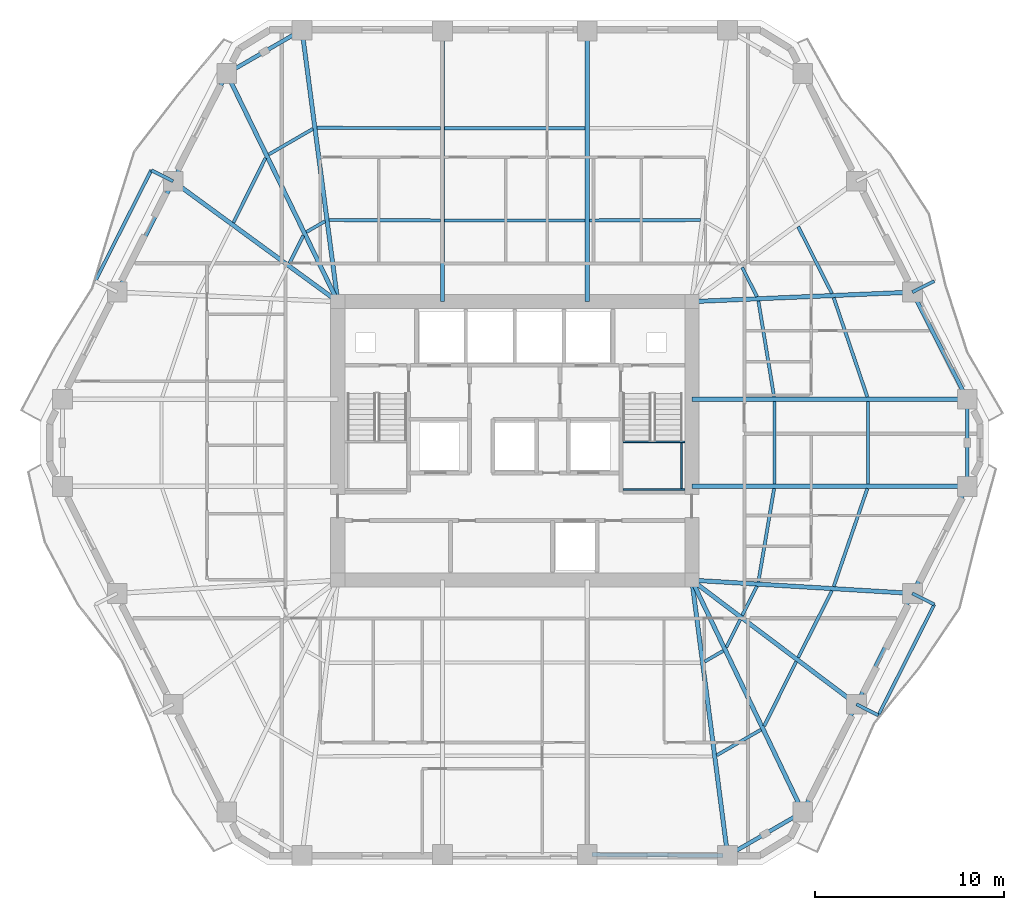
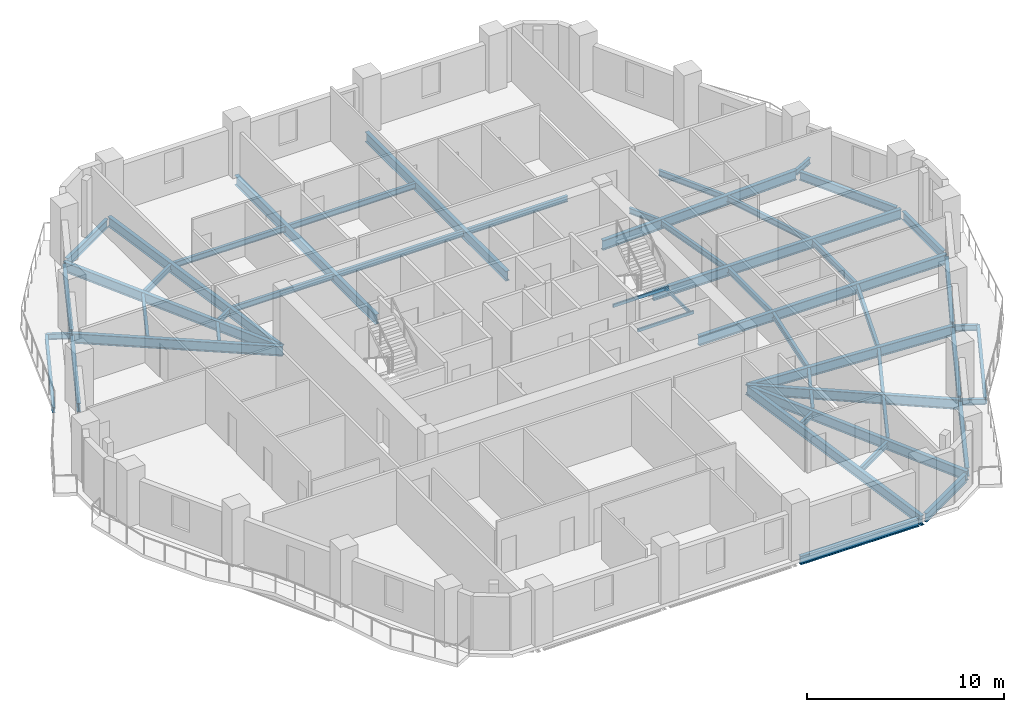
# One storey, part 2 of 11: 54 beams.
"""IFC4 building model written with IfcOpenShell, lengths in metres."""

from ifc_helpers import new_model, si_unit, direction, frame, origin, origin_2d, place, context, subcontext, project, spatial, hollow_rectangle, i_section, extrude, material, material_profile, profile_set, type_object, element, save


model = new_model("IFC4")

# Units and contexts
model_context = context("Model", 3, precision=1e-05, world=origin(), true_north=direction((0.0, 1.0)))
body_context = subcontext(model_context, "Body", "Model", "MODEL_VIEW")
ifc_project = project(units=[si_unit("LENGTHUNIT", "METRE"), si_unit("AREAUNIT", "SQUARE_METRE"), si_unit("VOLUMEUNIT", "CUBIC_METRE"), si_unit("PLANEANGLEUNIT", "RADIAN"), si_unit("MASSUNIT", "GRAM", prefix="KILO")], contexts=[model_context])

# Site, building, storey
site_placement = place(None, origin())
site = spatial("IfcSite", under=ifc_project, at=site_placement, CompositionType="ELEMENT")
building_placement = place(site_placement, origin())
building = spatial("IfcBuilding", under=site, at=building_placement, Name="Cinnabar Lancet Tower", CompositionType="ELEMENT")
storey_placement = place(building_placement, frame((0.0, 0.0, 105.5)))
storey = spatial("IfcBuildingStorey", under=building, at=storey_placement, Name="L27", CompositionType="ELEMENT", Elevation=105.5)

# Beams
ifc_material_1 = material(Name="Structural steel S355", Category="steel")
ifc_material_profile_1 = material_profile(ifc_material_1, i_section(OverallWidth=0.17138671875, OverallDepth=0.35498046875, WebThickness=0.00732421875, FlangeThickness=0.011474609375, FilletRadius=0.01025390625, at=origin_2d()), Name="UKB 356x171x51")
ifc_profile_set_1 = profile_set([ifc_material_profile_1], Name="Structural steel S355")
beam_type_1 = type_object("IfcBeamType", Name="STR-BM-JST-356", PredefinedType="JOIST", material=ifc_profile_set_1)
beam_1_placement = place(storey_placement, frame((43.093994140625, 9.251953125, -0.386962890625), z_axis=(0.865172906898, 0.501473669469, 0.0), x_axis=(-0.501473669469, 0.865172906898, 0.0)))
element("IfcBeam", 1, at=beam_1_placement, inside=storey, type_object=beam_type_1, Name="L27 Secondary Floor Joist 15", PredefinedType="JOIST", context=body_context, shape_type="SweptSolid", body=[
    extrude(i_section(OverallWidth=0.17138671875, OverallDepth=0.35498046875, WebThickness=0.00732421875, FlangeThickness=0.011474609375, FilletRadius=0.01025390625, at=origin_2d()), origin(), (0.0, 0.0, 1.0), 2.705810546875),
])
beam_2_placement = place(storey_placement, frame((42.449951171875, 14.2109375, -0.386962890625), z_axis=(0.865055308165, 0.501676503154, 0.0), x_axis=(-0.501676503154, 0.865055308165, 0.0)))
element("IfcBeam", 2, at=beam_2_placement, inside=storey, type_object=beam_type_1, Name="L27 Secondary Floor Joist 16", PredefinedType="JOIST", context=body_context, shape_type="SweptSolid", body=[
    extrude(i_section(OverallWidth=0.17138671875, OverallDepth=0.35498046875, WebThickness=0.00732421875, FlangeThickness=0.011474609375, FilletRadius=0.01025390625, at=origin_2d()), origin(), (0.0, 0.0, 1.0), 1.14208984375),
])
beam_3_placement = place(storey_placement, frame((45.59912109375, 10.7958984375, -0.386962890625), z_axis=(0.445295120803, 0.895383859241, 0.0), x_axis=(-0.895383859241, 0.445295120803, 0.0)))
element("IfcBeam", 3, at=beam_3_placement, inside=storey, type_object=beam_type_1, Name="L27 Secondary Floor Joist 17", PredefinedType="JOIST", context=body_context, shape_type="SweptSolid", body=[
    extrude(i_section(OverallWidth=0.17138671875, OverallDepth=0.35498046875, WebThickness=0.00732421875, FlangeThickness=0.011474609375, FilletRadius=0.01025390625, at=origin_2d()), origin(), (0.0, 0.0, 1.0), 3.81982421875),
])
beam_4_placement = place(storey_placement, frame((43.60205078125, 14.970947265625, -0.386962890625), z_axis=(0.44543923568, 0.895312173109, 0.0), x_axis=(-0.895312173109, 0.44543923568, 0.0)))
element("IfcBeam", 4, at=beam_4_placement, inside=storey, type_object=beam_type_1, Name="L27 Secondary Floor Joist 18", PredefinedType="JOIST", context=body_context, shape_type="SweptSolid", body=[
    extrude(i_section(OverallWidth=0.17138671875, OverallDepth=0.35498046875, WebThickness=0.00732421875, FlangeThickness=0.011474609375, FilletRadius=0.01025390625, at=origin_2d()), origin(), (0.0, 0.0, 1.0), 1.65185546875),
])
beam_5_placement = place(storey_placement, frame((47.404052734375, 14.424072265625, -0.386962890625), z_axis=(0.450706028652, 0.892672434736, 0.0), x_axis=(-0.892672434736, 0.450706028652, 0.0)))
element("IfcBeam", 5, at=beam_5_placement, inside=storey, type_object=beam_type_1, Name="L27 Secondary Floor Joist 19", PredefinedType="JOIST", context=body_context, shape_type="SweptSolid", body=[
    extrude(i_section(OverallWidth=0.17138671875, OverallDepth=0.35498046875, WebThickness=0.00732421875, FlangeThickness=0.011474609375, FilletRadius=0.01025390625, at=origin_2d()), origin(), (0.0, 0.0, 1.0), 3.966796875),
])
beam_6_placement = place(storey_placement, frame((44.44091796875, 16.657958984375, -0.386962890625), z_axis=(0.450874341268, 0.892587434589, 0.0), x_axis=(-0.892587434589, 0.450874341268, 0.0)))
element("IfcBeam", 6, at=beam_6_placement, inside=storey, type_object=beam_type_1, Name="L27 Secondary Floor Joist 20", PredefinedType="JOIST", context=body_context, shape_type="SweptSolid", body=[
    extrude(i_section(OverallWidth=0.17138671875, OverallDepth=0.35498046875, WebThickness=0.00732421875, FlangeThickness=0.011474609375, FilletRadius=0.01025390625, at=origin_2d()), origin(), (0.0, 0.0, 1.0), 1.732177734375),
])
beam_7_placement = place(storey_placement, frame((49.287109375, 18.18798828125, -0.386962890625), z_axis=(0.324639458548, 0.945837841257, 0.0), x_axis=(-0.945837841257, 0.324639458548, 0.0)))
element("IfcBeam", 7, at=beam_7_placement, inside=storey, type_object=beam_type_1, Name="L27 Secondary Floor Joist 21", PredefinedType="JOIST", context=body_context, shape_type="SweptSolid", body=[
    extrude(i_section(OverallWidth=0.17138671875, OverallDepth=0.35498046875, WebThickness=0.00732421875, FlangeThickness=0.011474609375, FilletRadius=0.01025390625, at=origin_2d()), origin(), (0.0, 0.0, 1.0), 5.486083984375),
])
beam_8_placement = place(storey_placement, frame((45.297119140625, 18.427978515625, -0.386962890625), z_axis=(0.165937104691, 0.986136338082, 0.0), x_axis=(-0.986136338082, 0.165937104691, 0.0)))
element("IfcBeam", 8, at=beam_8_placement, inside=storey, type_object=beam_type_1, Name="L27 Secondary Floor Joist 22", PredefinedType="JOIST", context=body_context, shape_type="SweptSolid", body=[
    extrude(i_section(OverallWidth=0.17138671875, OverallDepth=0.35498046875, WebThickness=0.00732421875, FlangeThickness=0.011474609375, FilletRadius=0.01025390625, at=origin_2d()), origin(), (0.0, 0.0, 1.0), 5.0185546875),
])
for number, where, z_axis, x_axis, name in (
    (9, (51.10693359375, 23.60498046875, -0.386962890625), (0.0, 1.0, 0.0), (-1.0, 0.0, 0.0), "L27 Secondary Floor Joist 23"),
    (10, (46.14990234375, 23.60498046875, -0.386962890625), (0.0, 1.0, 0.0), (-1.0, 0.0, 0.0), "L27 Secondary Floor Joist 24"),
):
    element("IfcBeam", number, at=place(storey_placement, frame(where, z_axis=z_axis, x_axis=x_axis)), inside=storey, type_object=beam_type_1, Name=name, PredefinedType="JOIST", context=body_context, shape_type="SweptSolid", body=[
        extrude(i_section(OverallWidth=0.17138671875, OverallDepth=0.35498046875, WebThickness=0.00732421875, FlangeThickness=0.011474609375, FilletRadius=0.01025390625, at=origin_2d()), origin(), (0.0, 0.0, 1.0), 4.39013671875),
    ])
beam_9_placement = place(storey_placement, frame((51.069091796875, 28.222900390625, -0.386962890625), z_axis=(-0.321063338019, 0.947057724207, 0.0), x_axis=(-0.947057724207, -0.321063338019, 0.0)))
element("IfcBeam", 11, at=beam_9_placement, inside=storey, type_object=beam_type_1, Name="L27 Secondary Floor Joist 25", PredefinedType="JOIST", context=body_context, shape_type="SweptSolid", body=[
    extrude(i_section(OverallWidth=0.17138671875, OverallDepth=0.35498046875, WebThickness=0.00732421875, FlangeThickness=0.011474609375, FilletRadius=0.01025390625, at=origin_2d()), origin(), (0.0, 0.0, 1.0), 5.553955078125),
])
beam_10_placement = place(storey_placement, frame((46.131103515625, 28.222900390625, -0.386962890625), z_axis=(-0.161719098977, 0.986836832017, 0.0), x_axis=(-0.986836832017, -0.161719098977, 0.0)))
element("IfcBeam", 12, at=beam_10_placement, inside=storey, type_object=beam_type_1, Name="L27 Secondary Floor Joist 26", PredefinedType="JOIST", context=body_context, shape_type="SweptSolid", body=[
    extrude(i_section(OverallWidth=0.17138671875, OverallDepth=0.35498046875, WebThickness=0.00732421875, FlangeThickness=0.011474609375, FilletRadius=0.01025390625, at=origin_2d()), origin(), (0.0, 0.0, 1.0), 5.156982421875),
])
beam_11_placement = place(storey_placement, frame((49.19189453125, 33.70703125, -0.386962890625), z_axis=(-0.450606998706, 0.892722427587, 0.0), x_axis=(-0.892722427587, -0.450606998706, 0.0)))
element("IfcBeam", 13, at=beam_11_placement, inside=storey, type_object=beam_type_1, Name="L27 Secondary Floor Joist 27", PredefinedType="JOIST", context=body_context, shape_type="SweptSolid", body=[
    extrude(i_section(OverallWidth=0.17138671875, OverallDepth=0.35498046875, WebThickness=0.00732421875, FlangeThickness=0.011474609375, FilletRadius=0.01025390625, at=origin_2d()), origin(), (0.0, 0.0, 1.0), 3.967529296875),
])
beam_12_placement = place(storey_placement, frame((45.221923828125, 33.537109375, -0.386962890625), z_axis=(-0.450931068976, 0.892558777354, 0.0), x_axis=(-0.892558777354, -0.450931068976, 0.0)))
element("IfcBeam", 14, at=beam_12_placement, inside=storey, type_object=beam_type_1, Name="L27 Secondary Floor Joist 28", PredefinedType="JOIST", context=body_context, shape_type="SweptSolid", body=[
    extrude(i_section(OverallWidth=0.17138671875, OverallDepth=0.35498046875, WebThickness=0.00732421875, FlangeThickness=0.011474609375, FilletRadius=0.01025390625, at=origin_2d()), origin(), (0.0, 0.0, 1.0), 1.73193359375),
])
beam_13_placement = place(storey_placement, frame((42.22802734375, 37.591064453125, -0.386962890625), z_axis=(-0.999996247906, -0.002739374605, 0.0), x_axis=(0.002739374605, -0.999996247906, 0.0)))
element("IfcBeam", 15, at=beam_13_placement, inside=storey, type_object=beam_type_1, Name="L27 Secondary Floor Joist 34", PredefinedType="JOIST", context=body_context, shape_type="SweptSolid", body=[
    extrude(i_section(OverallWidth=0.17138671875, OverallDepth=0.35498046875, WebThickness=0.00732421875, FlangeThickness=0.011474609375, FilletRadius=0.01025390625, at=origin_2d()), origin(), (0.0, 0.0, 1.0), 5.882080078125),
])
for number, where, z_axis, x_axis, name in (
    (16, (36.117919921875, 42.447998046875, -0.386962890625), (-1.0, 0.0, 0.0), (0.0, -1.0, 0.0), "L27 Secondary Floor Joist 35"),
    (17, (36.117919921875, 37.574951171875, -0.386962890625), (-1.0, 0.0, 0.0), (0.0, -1.0, 0.0), "L27 Secondary Floor Joist 36"),
):
    element("IfcBeam", number, at=place(storey_placement, frame(where, z_axis=z_axis, x_axis=x_axis)), inside=storey, type_object=beam_type_1, Name=name, PredefinedType="JOIST", context=body_context, shape_type="SweptSolid", body=[
        extrude(i_section(OverallWidth=0.17138671875, OverallDepth=0.35498046875, WebThickness=0.00732421875, FlangeThickness=0.011474609375, FilletRadius=0.01025390625, at=origin_2d()), origin(), (0.0, 0.0, 1.0), 7.43603515625),
    ])
beam_14_placement = place(storey_placement, frame((28.4541015625, 42.448974609375, -0.386962890625), z_axis=(-0.999987991898, 0.004900618269, 0.0), x_axis=(-0.004900618269, -0.999987991898, 0.0)))
element("IfcBeam", 18, at=beam_14_placement, inside=storey, type_object=beam_type_1, Name="L27 Secondary Floor Joist 37", PredefinedType="JOIST", context=body_context, shape_type="SweptSolid", body=[
    extrude(i_section(OverallWidth=0.17138671875, OverallDepth=0.35498046875, WebThickness=0.00732421875, FlangeThickness=0.011474609375, FilletRadius=0.01025390625, at=origin_2d()), origin(), (0.0, 0.0, 1.0), 6.526123046875),
])
beam_15_placement = place(storey_placement, frame((28.4541015625, 37.574951171875, -0.386962890625), z_axis=(-0.999996247906, 0.002739374605, 0.0), x_axis=(-0.002739374605, -0.999996247906, 0.0)))
element("IfcBeam", 19, at=beam_15_placement, inside=storey, type_object=beam_type_1, Name="L27 Secondary Floor Joist 38", PredefinedType="JOIST", context=body_context, shape_type="SweptSolid", body=[
    extrude(i_section(OverallWidth=0.17138671875, OverallDepth=0.35498046875, WebThickness=0.00732421875, FlangeThickness=0.011474609375, FilletRadius=0.01025390625, at=origin_2d()), origin(), (0.0, 0.0, 1.0), 5.882080078125),
])
beam_16_placement = place(storey_placement, frame((21.7060546875, 42.419921875, -0.386962890625), z_axis=(-0.865172906898, -0.501473669469, 0.0), x_axis=(0.501473669469, -0.865172906898, 0.0)))
element("IfcBeam", 20, at=beam_16_placement, inside=storey, type_object=beam_type_1, Name="L27 Secondary Floor Joist 39", PredefinedType="JOIST", context=body_context, shape_type="SweptSolid", body=[
    extrude(i_section(OverallWidth=0.17138671875, OverallDepth=0.35498046875, WebThickness=0.00732421875, FlangeThickness=0.011474609375, FilletRadius=0.01025390625, at=origin_2d()), origin(), (0.0, 0.0, 1.0), 2.705810546875),
])
beam_17_placement = place(storey_placement, frame((22.35009765625, 37.529052734375, -0.386962890625), z_axis=(-0.865055308165, -0.501676503154, 0.0), x_axis=(0.501676503154, -0.865055308165, 0.0)))
element("IfcBeam", 21, at=beam_17_placement, inside=storey, type_object=beam_type_1, Name="L27 Secondary Floor Joist 40", PredefinedType="JOIST", context=body_context, shape_type="SweptSolid", body=[
    extrude(i_section(OverallWidth=0.17138671875, OverallDepth=0.35498046875, WebThickness=0.00732421875, FlangeThickness=0.011474609375, FilletRadius=0.01025390625, at=origin_2d()), origin(), (0.0, 0.0, 1.0), 1.14208984375),
])
beam_18_placement = place(storey_placement, frame((19.200927734375, 40.876953125, -0.386962890625), z_axis=(-0.445116798807, -0.895472520751, 0.0), x_axis=(0.895472520751, -0.445116798807, 0.0)))
element("IfcBeam", 22, at=beam_18_placement, inside=storey, type_object=beam_type_1, Name="L27 Secondary Floor Joist 41", PredefinedType="JOIST", context=body_context, shape_type="SweptSolid", body=[
    extrude(i_section(OverallWidth=0.17138671875, OverallDepth=0.35498046875, WebThickness=0.00732421875, FlangeThickness=0.011474609375, FilletRadius=0.01025390625, at=origin_2d()), origin(), (0.0, 0.0, 1.0), 3.8212890625),
])
beam_19_placement = place(storey_placement, frame((21.198974609375, 36.77001953125, -0.386962890625), z_axis=(-0.445795466264, -0.895134851438, 0.0), x_axis=(0.895134851438, -0.445795466264, 0.0)))
element("IfcBeam", 23, at=beam_19_placement, inside=storey, type_object=beam_type_1, Name="L27 Secondary Floor Joist 42", PredefinedType="JOIST", context=body_context, shape_type="SweptSolid", body=[
    extrude(i_section(OverallWidth=0.17138671875, OverallDepth=0.35498046875, WebThickness=0.00732421875, FlangeThickness=0.011474609375, FilletRadius=0.01025390625, at=origin_2d()), origin(), (0.0, 0.0, 1.0), 1.6533203125),
])
ifc_material_2 = material(Name="Structural steel S355", Category="steel")
ifc_material_profile_2 = material_profile(ifc_material_2, hollow_rectangle(XDim=0.10009765625, YDim=0.199951171875, WallThickness=0.008056640625, InnerFilletRadius=0.00390625, OuterFilletRadius=0.011962890625, at=origin_2d()), Name="RHS 200x100x8")
ifc_profile_set_2 = profile_set([ifc_material_profile_2], Name="Structural steel S355")
beam_type_2 = type_object("IfcBeamType", Name="STR-BM-LND-203", PredefinedType="BEAM", material=ifc_profile_set_2)
for number, where, z_axis, x_axis, name in (
    (24, (38.1201171875, 23.330078125, 1.47509765625), (1.0, 0.0, 0.0), (0.0, 1.0, 0.0), "L27 ST-2-L27 Landing Support Beam S"),
    (25, (38.1201171875, 25.844970703125, 1.47509765625), (1.0, 0.0, 0.0), (0.0, 1.0, 0.0), "L27 ST-2-L27 Landing Support Beam N"),
):
    element("IfcBeam", number, at=place(storey_placement, frame(where, z_axis=z_axis, x_axis=x_axis)), inside=storey, type_object=beam_type_2, Name=name, PredefinedType="BEAM", context=body_context, shape_type="SweptSolid", body=[
        extrude(hollow_rectangle(XDim=0.10009765625, YDim=0.199951171875, WallThickness=0.008056640625, InnerFilletRadius=0.00390625, OuterFilletRadius=0.011962890625, at=origin_2d()), origin(), (0.0, 0.0, 1.0), 3.27978515625),
    ])
beam_20_placement = place(storey_placement, frame((41.219970703125, 23.3798828125, 1.47509765625), z_axis=(0.0, 1.0, 0.0), x_axis=(-1.0, 0.0, 0.0)))
element("IfcBeam", 26, at=beam_20_placement, inside=storey, type_object=beam_type_2, Name="L27 ST-2-L27 Landing Side Trimmer Beam", PredefinedType="BEAM", context=body_context, shape_type="SweptSolid", body=[
    extrude(hollow_rectangle(XDim=0.10009765625, YDim=0.199951171875, WallThickness=0.008056640625, InnerFilletRadius=0.00390625, OuterFilletRadius=0.011962890625, at=origin_2d()), origin(), (0.0, 0.0, 1.0), 2.4150390625),
])
ifc_material_3 = material(Name="Structural steel S355", Category="steel")
ifc_material_profile_3 = material_profile(ifc_material_3, i_section(OverallWidth=0.209228515625, OverallDepth=0.533203125, WebThickness=0.010009765625, FlangeThickness=0.015625, FilletRadius=0.0126953125, at=origin_2d()), Name="UKB 533x210x92")
ifc_profile_set_3 = profile_set([ifc_material_profile_3], Name="Structural steel S355")
beam_type_3 = type_object("IfcBeamType", Name="STR-BM-SPN-533", PredefinedType="SPANDREL", material=ifc_profile_set_3)
beam_21_placement = place(storey_placement, frame((36.48193359375, 3.989990234375, -0.47705078125), z_axis=(0.999974980359, -0.007073800628, 0.0), x_axis=(0.007073800628, 0.999974980359, 0.0)))
element("IfcBeam", 27, at=beam_21_placement, inside=storey, type_object=beam_type_3, Name="L27 Perimeter Spandrel 3", PredefinedType="SPANDREL", context=body_context, shape_type="SweptSolid", body=[
    extrude(i_section(OverallWidth=0.209228515625, OverallDepth=0.533203125, WebThickness=0.010009765625, FlangeThickness=0.015625, FilletRadius=0.0126953125, at=origin_2d()), origin(), (0.0, 0.0, 1.0), 6.937255859375),
])
beam_22_placement = place(storey_placement, frame((43.885009765625, 4.06396484375, -0.47705078125), z_axis=(0.865112299906, 0.501578217781, 0.0), x_axis=(-0.501578217781, 0.865112299906, 0.0)))
element("IfcBeam", 28, at=beam_22_placement, inside=storey, type_object=beam_type_3, Name="L27 Perimeter Spandrel 4", PredefinedType="SPANDREL", context=body_context, shape_type="SweptSolid", body=[
    extrude(i_section(OverallWidth=0.209228515625, OverallDepth=0.533203125, WebThickness=0.010009765625, FlangeThickness=0.015625, FilletRadius=0.0126953125, at=origin_2d()), origin(), (0.0, 0.0, 1.0), 4.101318359375),
])
beam_23_placement = place(storey_placement, frame((47.760009765625, 6.469970703125, -0.47705078125), z_axis=(0.445501068635, 0.89528140707, 0.0), x_axis=(-0.89528140707, 0.445501068635, 0.0)))
element("IfcBeam", 29, at=beam_23_placement, inside=storey, type_object=beam_type_3, Name="L27 Perimeter Spandrel 5", PredefinedType="SPANDREL", context=body_context, shape_type="SweptSolid", body=[
    extrude(i_section(OverallWidth=0.209228515625, OverallDepth=0.533203125, WebThickness=0.010009765625, FlangeThickness=0.015625, FilletRadius=0.0126953125, at=origin_2d()), origin(), (0.0, 0.0, 1.0), 5.87646484375),
])
beam_24_placement = place(storey_placement, frame((50.60205078125, 12.177978515625, -0.47705078125), z_axis=(0.450570325924, 0.892740937449, 0.0), x_axis=(-0.892740937449, 0.450570325924, 0.0)))
element("IfcBeam", 30, at=beam_24_placement, inside=storey, type_object=beam_type_3, Name="L27 Perimeter Spandrel 6", PredefinedType="SPANDREL", context=body_context, shape_type="SweptSolid", body=[
    extrude(i_section(OverallWidth=0.209228515625, OverallDepth=0.533203125, WebThickness=0.010009765625, FlangeThickness=0.015625, FilletRadius=0.0126953125, at=origin_2d()), origin(), (0.0, 0.0, 1.0), 6.07470703125),
])
beam_25_placement = place(storey_placement, frame((53.56591796875, 18.0458984375, -0.47705078125), z_axis=(0.456109733574, 0.889923542187, 0.0), x_axis=(-0.889923542187, 0.456109733574, 0.0)))
element("IfcBeam", 31, at=beam_25_placement, inside=storey, type_object=beam_type_3, Name="L27 Perimeter Spandrel 7", PredefinedType="SPANDREL", context=body_context, shape_type="SweptSolid", body=[
    extrude(i_section(OverallWidth=0.209228515625, OverallDepth=0.533203125, WebThickness=0.010009765625, FlangeThickness=0.015625, FilletRadius=0.0126953125, at=origin_2d()), origin(), (0.0, 0.0, 1.0), 5.869140625),
])
beam_26_placement = place(storey_placement, frame((56.35693359375, 23.740966796875, -0.47705078125), z_axis=(0.0, 1.0, 0.0), x_axis=(-1.0, 0.0, 0.0)))
element("IfcBeam", 32, at=beam_26_placement, inside=storey, type_object=beam_type_3, Name="L27 Perimeter Spandrel 8", PredefinedType="SPANDREL", context=body_context, shape_type="SweptSolid", body=[
    extrude(i_section(OverallWidth=0.209228515625, OverallDepth=0.533203125, WebThickness=0.010009765625, FlangeThickness=0.015625, FilletRadius=0.0126953125, at=origin_2d()), origin(), (0.0, 0.0, 1.0), 4.117919921875),
])
beam_27_placement = place(storey_placement, frame((56.242919921875, 28.3310546875, -0.47705078125), z_axis=(-0.456126618405, 0.889914888055, 0.0), x_axis=(-0.889914888055, -0.456126618405, 0.0)))
element("IfcBeam", 33, at=beam_27_placement, inside=storey, type_object=beam_type_3, Name="L27 Perimeter Spandrel 9", PredefinedType="SPANDREL", context=body_context, shape_type="SweptSolid", body=[
    extrude(i_section(OverallWidth=0.209228515625, OverallDepth=0.533203125, WebThickness=0.010009765625, FlangeThickness=0.015625, FilletRadius=0.0126953125, at=origin_2d()), origin(), (0.0, 0.0, 1.0), 5.868896484375),
])
beam_28_placement = place(storey_placement, frame((20.9150390625, 47.535888671875, -0.47705078125), z_axis=(-0.865138129765, -0.5015336643, 0.0), x_axis=(0.5015336643, -0.865138129765, 0.0)))
element("IfcBeam", 34, at=beam_28_placement, inside=storey, type_object=beam_type_3, Name="L27 Perimeter Spandrel 16", PredefinedType="SPANDREL", context=body_context, shape_type="SweptSolid", body=[
    extrude(i_section(OverallWidth=0.209228515625, OverallDepth=0.533203125, WebThickness=0.010009765625, FlangeThickness=0.015625, FilletRadius=0.0126953125, at=origin_2d()), origin(), (0.0, 0.0, 1.0), 4.10107421875),
])
beam_29_placement = place(storey_placement, frame((17.0400390625, 45.1298828125, -0.47705078125), z_axis=(-0.445501068635, -0.89528140707, 0.0), x_axis=(0.89528140707, -0.445501068635, 0.0)))
element("IfcBeam", 35, at=beam_29_placement, inside=storey, type_object=beam_type_3, Name="L27 Perimeter Spandrel 17", PredefinedType="SPANDREL", context=body_context, shape_type="SweptSolid", body=[
    extrude(i_section(OverallWidth=0.209228515625, OverallDepth=0.533203125, WebThickness=0.010009765625, FlangeThickness=0.015625, FilletRadius=0.0126953125, at=origin_2d()), origin(), (0.0, 0.0, 1.0), 5.87646484375),
])
beam_30_placement = place(storey_placement, frame((14.197998046875, 39.422119140625, -0.47705078125), z_axis=(-0.450570325924, -0.892740937449, 0.0), x_axis=(0.892740937449, -0.450570325924, 0.0)))
element("IfcBeam", 36, at=beam_30_placement, inside=storey, type_object=beam_type_3, Name="L27 Perimeter Spandrel 18", PredefinedType="SPANDREL", context=body_context, shape_type="SweptSolid", body=[
    extrude(i_section(OverallWidth=0.209228515625, OverallDepth=0.533203125, WebThickness=0.010009765625, FlangeThickness=0.015625, FilletRadius=0.0126953125, at=origin_2d()), origin(), (0.0, 0.0, 1.0), 6.07470703125),
])
ifc_material_4 = material(Name="Structural steel S355", Category="steel")
ifc_material_profile_4 = material_profile(ifc_material_4, i_section(OverallWidth=0.228271484375, OverallDepth=0.607666015625, WebThickness=0.010986328125, FlangeThickness=0.017333984375, FilletRadius=0.0126953125, at=origin_2d()), Name="UKB 610x229x113")
ifc_profile_set_4 = profile_set([ifc_material_profile_4], Name="Structural steel S355")
beam_type_4 = type_object("IfcBeamType", Name="STR-BM-UKB610-113", PredefinedType="BEAM", material=ifc_profile_set_4)
beam_31_placement = place(storey_placement, frame((50.489013671875, 11.955078125, -0.513916015625), z_axis=(-0.798491457835, 0.602006139308, 0.0), x_axis=(-0.602006139308, -0.798491457835, 0.0)))
element("IfcBeam", 37, at=beam_31_placement, inside=storey, type_object=beam_type_4, Name="L27 Corner Collector Girder 2", PredefinedType="BEAM", context=body_context, shape_type="SweptSolid", body=[
    extrude(i_section(OverallWidth=0.228271484375, OverallDepth=0.607666015625, WebThickness=0.010986328125, FlangeThickness=0.017333984375, FilletRadius=0.0126953125, at=origin_2d()), origin(), (0.0, 0.0, 1.0), 10.913330078125),
])
beam_32_placement = place(storey_placement, frame((14.31103515625, 39.64501953125, -0.513916015625), z_axis=(0.807289993592, -0.590154951048, 0.0), x_axis=(0.590154951048, 0.807289993592, 0.0)))
element("IfcBeam", 38, at=beam_32_placement, inside=storey, type_object=beam_type_4, Name="L27 Corner Collector Girder 4", PredefinedType="BEAM", context=body_context, shape_type="SweptSolid", body=[
    extrude(i_section(OverallWidth=0.228271484375, OverallDepth=0.607666015625, WebThickness=0.010986328125, FlangeThickness=0.017333984375, FilletRadius=0.0126953125, at=origin_2d()), origin(), (0.0, 0.0, 1.0), 10.7939453125),
])
beam_33_placement = place(storey_placement, frame((43.6689453125, 3.93896484375, -0.513916015625), z_axis=(-0.12877289353, 0.99167411073, 0.0), x_axis=(-0.99167411073, -0.12877289353, 0.0)))
element("IfcBeam", 39, at=beam_33_placement, inside=storey, type_object=beam_type_4, Name="L27 Primary Floor Girder 4", PredefinedType="BEAM", context=body_context, shape_type="SweptSolid", body=[
    extrude(i_section(OverallWidth=0.228271484375, OverallDepth=0.607666015625, WebThickness=0.010986328125, FlangeThickness=0.017333984375, FilletRadius=0.0126953125, at=origin_2d()), origin(), (0.0, 0.0, 1.0), 14.70849609375),
])
beam_34_placement = place(storey_placement, frame((47.64892578125, 6.24609375, -0.513916015625), z_axis=(-0.431548156881, 0.902089900339, 0.0), x_axis=(-0.902089900339, -0.431548156881, 0.0)))
element("IfcBeam", 40, at=beam_34_placement, inside=storey, type_object=beam_type_4, Name="L27 Primary Floor Girder 5", PredefinedType="BEAM", context=body_context, shape_type="SweptSolid", body=[
    extrude(i_section(OverallWidth=0.228271484375, OverallDepth=0.607666015625, WebThickness=0.010986328125, FlangeThickness=0.017333984375, FilletRadius=0.0126953125, at=origin_2d()), origin(), (0.0, 0.0, 1.0), 13.611572265625),
])
beam_35_placement = place(storey_placement, frame((53.451904296875, 17.823974609375, -0.513916015625), z_axis=(-0.998203272991, 0.059918492897, 0.0), x_axis=(-0.059918492897, -0.998203272991, 0.0)))
element("IfcBeam", 41, at=beam_35_placement, inside=storey, type_object=beam_type_4, Name="L27 Primary Floor Girder 7", PredefinedType="BEAM", context=body_context, shape_type="SweptSolid", body=[
    extrude(i_section(OverallWidth=0.228271484375, OverallDepth=0.607666015625, WebThickness=0.010986328125, FlangeThickness=0.017333984375, FilletRadius=0.0126953125, at=origin_2d()), origin(), (0.0, 0.0, 1.0), 11.697998046875),
])
for number, where, z_axis, x_axis, name in (
    (42, (56.35693359375, 23.490966796875, -0.513916015625), (-1.0, 0.0, 0.0), (0.0, -1.0, 0.0), "L27 Primary Floor Girder 8"),
    (43, (56.35693359375, 28.10888671875, -0.513916015625), (-1.0, 0.0, 0.0), (0.0, -1.0, 0.0), "L27 Primary Floor Girder 9"),
):
    element("IfcBeam", number, at=place(storey_placement, frame(where, z_axis=z_axis, x_axis=x_axis)), inside=storey, type_object=beam_type_4, Name=name, PredefinedType="BEAM", context=body_context, shape_type="SweptSolid", body=[
        extrude(i_section(OverallWidth=0.228271484375, OverallDepth=0.607666015625, WebThickness=0.010986328125, FlangeThickness=0.017333984375, FilletRadius=0.0126953125, at=origin_2d()), origin(), (0.0, 0.0, 1.0), 14.58203125),
    ])
beam_36_placement = place(storey_placement, frame((53.451904296875, 33.77587890625, -0.513916015625), z_axis=(-0.999080941658, -0.042863411158, 0.0), x_axis=(0.042863411158, -0.999080941658, 0.0)))
element("IfcBeam", 44, at=beam_36_placement, inside=storey, type_object=beam_type_4, Name="L27 Primary Floor Girder 10", PredefinedType="BEAM", context=body_context, shape_type="SweptSolid", body=[
    extrude(i_section(OverallWidth=0.228271484375, OverallDepth=0.607666015625, WebThickness=0.010986328125, FlangeThickness=0.017333984375, FilletRadius=0.0126953125, at=origin_2d()), origin(), (0.0, 0.0, 1.0), 11.687744140625),
])
for number, where, z_axis, x_axis, name in (
    (45, (36.23193359375, 47.60791015625, -0.513916015625), (0.0, -1.0, 0.0), (1.0, 0.0, 0.0), "L27 Primary Floor Girder 14"),
    (46, (28.568115234375, 47.60791015625, -0.513916015625), (0.0, -1.0, 0.0), (1.0, 0.0, 0.0), "L27 Primary Floor Girder 15"),
):
    element("IfcBeam", number, at=place(storey_placement, frame(where, z_axis=z_axis, x_axis=x_axis)), inside=storey, type_object=beam_type_4, Name=name, PredefinedType="BEAM", context=body_context, shape_type="SweptSolid", body=[
        extrude(i_section(OverallWidth=0.228271484375, OverallDepth=0.607666015625, WebThickness=0.010986328125, FlangeThickness=0.017333984375, FilletRadius=0.0126953125, at=origin_2d()), origin(), (0.0, 0.0, 1.0), 14.3330078125),
    ])
beam_37_placement = place(storey_placement, frame((21.131103515625, 47.660888671875, -0.513916015625), z_axis=(0.130515881524, -0.991446218748, 0.0), x_axis=(0.991446218748, 0.130515881524, 0.0)))
element("IfcBeam", 47, at=beam_37_placement, inside=storey, type_object=beam_type_4, Name="L27 Primary Floor Girder 16", PredefinedType="BEAM", context=body_context, shape_type="SweptSolid", body=[
    extrude(i_section(OverallWidth=0.228271484375, OverallDepth=0.607666015625, WebThickness=0.010986328125, FlangeThickness=0.017333984375, FilletRadius=0.0126953125, at=origin_2d()), origin(), (0.0, 0.0, 1.0), 14.510009765625),
])
beam_38_placement = place(storey_placement, frame((17.15087890625, 45.35400390625, -0.513916015625), z_axis=(0.437327473227, -0.899302330232, 0.0), x_axis=(0.899302330232, 0.437327473227, 0.0)))
element("IfcBeam", 48, at=beam_38_placement, inside=storey, type_object=beam_type_4, Name="L27 Primary Floor Girder 17", PredefinedType="BEAM", context=body_context, shape_type="SweptSolid", body=[
    extrude(i_section(OverallWidth=0.228271484375, OverallDepth=0.607666015625, WebThickness=0.010986328125, FlangeThickness=0.017333984375, FilletRadius=0.0126953125, at=origin_2d()), origin(), (0.0, 0.0, 1.0), 13.431640625),
])
ifc_material_5 = material(Name="Structural steel S355", Category="steel")
ifc_material_profile_5 = material_profile(ifc_material_5, i_section(OverallWidth=0.17138671875, OverallDepth=0.35498046875, WebThickness=0.00732421875, FlangeThickness=0.011474609375, FilletRadius=0.01025390625, at=origin_2d()), Name="UKB 356x171x51")
ifc_profile_set_5 = profile_set([ifc_material_profile_5], Name="Structural steel S355")
beam_type_5 = type_object("IfcBeamType", Name="STR-BM-WAV-OUT", PredefinedType="BEAM", material=ifc_profile_set_5)
for number, where, z_axis, x_axis, name in (
    (49, (50.489013671875, 11.955078125, -0.39697265625), (0.892200264127, -0.451639998995, 0.0), (0.451639998995, 0.892200264127, 0.0), "L27 Face 2 Balcony Outlooker A"),
    (50, (53.451904296875, 17.823974609375, -0.39697265625), (0.892314203325, -0.451414845285, 0.0), (0.451414845285, 0.892314203325, 0.0), "L27 Face 2 Balcony Outlooker B"),
):
    element("IfcBeam", number, at=place(storey_placement, frame(where, z_axis=z_axis, x_axis=x_axis)), inside=storey, type_object=beam_type_5, Name=name, PredefinedType="BEAM", context=body_context, shape_type="SweptSolid", body=[
        extrude(i_section(OverallWidth=0.17138671875, OverallDepth=0.35498046875, WebThickness=0.00732421875, FlangeThickness=0.011474609375, FilletRadius=0.01025390625, at=origin_2d()), origin(), (0.0, 0.0, 1.0), 1.300048828125),
    ])
beam_39_placement = place(storey_placement, frame((53.451904296875, 33.77587890625, -0.39697265625), z_axis=(0.892238560088, 0.451564338597, 0.0), x_axis=(-0.451564338597, 0.892238560088, 0.0)))
element("IfcBeam", 51, at=beam_39_placement, inside=storey, type_object=beam_type_5, Name="L27 Face 3 Balcony Outlooker A", PredefinedType="BEAM", context=body_context, shape_type="SweptSolid", body=[
    extrude(i_section(OverallWidth=0.17138671875, OverallDepth=0.35498046875, WebThickness=0.00732421875, FlangeThickness=0.011474609375, FilletRadius=0.01025390625, at=origin_2d()), origin(), (0.0, 0.0, 1.0), 1.30029296875),
])
beam_40_placement = place(storey_placement, frame((14.31103515625, 39.64501953125, -0.39697265625), z_axis=(-0.892314203325, 0.451414845285, 0.0), x_axis=(-0.451414845285, -0.892314203325, 0.0)))
element("IfcBeam", 52, at=beam_40_placement, inside=storey, type_object=beam_type_5, Name="L27 Face 5 Balcony Outlooker A", PredefinedType="BEAM", context=body_context, shape_type="SweptSolid", body=[
    extrude(i_section(OverallWidth=0.17138671875, OverallDepth=0.35498046875, WebThickness=0.00732421875, FlangeThickness=0.011474609375, FilletRadius=0.01025390625, at=origin_2d()), origin(), (0.0, 0.0, 1.0), 1.300048828125),
])
ifc_material_6 = material(Name="Structural steel S355", Category="steel")
ifc_material_profile_6 = material_profile(ifc_material_6, i_section(OverallWidth=0.17138671875, OverallDepth=0.35498046875, WebThickness=0.00732421875, FlangeThickness=0.011474609375, FilletRadius=0.01025390625, at=origin_2d()), Name="UKB 356x171x51")
ifc_profile_set_6 = profile_set([ifc_material_profile_6], Name="Structural steel S355")
beam_type_6 = type_object("IfcBeamType", Name="STR-BM-WAV-TRIM", PredefinedType="SPANDREL", material=ifc_profile_set_6)
beam_41_placement = place(storey_placement, frame((51.64892578125, 11.367919921875, -0.39697265625), z_axis=(0.450685888317, 0.892682603209, 0.0), x_axis=(-0.892682603209, 0.450685888317, 0.0)))
element("IfcBeam", 53, at=beam_41_placement, inside=storey, type_object=beam_type_6, Name="L27 Face 2 Balcony Edge Trimmer", PredefinedType="SPANDREL", context=body_context, shape_type="SweptSolid", body=[
    extrude(i_section(OverallWidth=0.17138671875, OverallDepth=0.35498046875, WebThickness=0.00732421875, FlangeThickness=0.011474609375, FilletRadius=0.01025390625, at=origin_2d()), origin(), (0.0, 0.0, 1.0), 6.57470703125),
])
beam_42_placement = place(storey_placement, frame((13.15087890625, 40.23193359375, -0.39697265625), z_axis=(-0.450671236139, -0.892690000457, 0.0), x_axis=(0.892690000457, -0.450671236139, 0.0)))
element("IfcBeam", 54, at=beam_42_placement, inside=storey, type_object=beam_type_6, Name="L27 Face 5 Balcony Edge Trimmer", PredefinedType="SPANDREL", context=body_context, shape_type="SweptSolid", body=[
    extrude(i_section(OverallWidth=0.17138671875, OverallDepth=0.35498046875, WebThickness=0.00732421875, FlangeThickness=0.011474609375, FilletRadius=0.01025390625, at=origin_2d()), origin(), (0.0, 0.0, 1.0), 6.574462890625),
])

save(model, "model.ifc")
